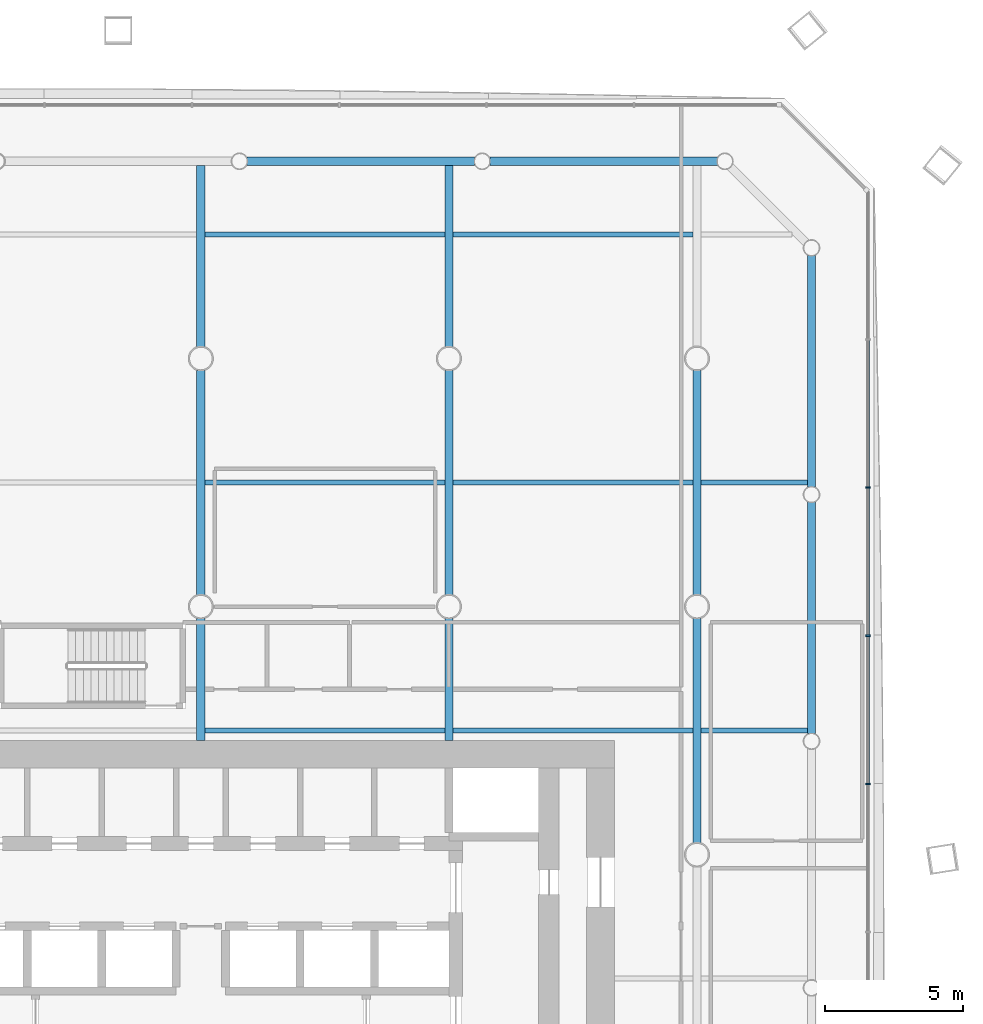
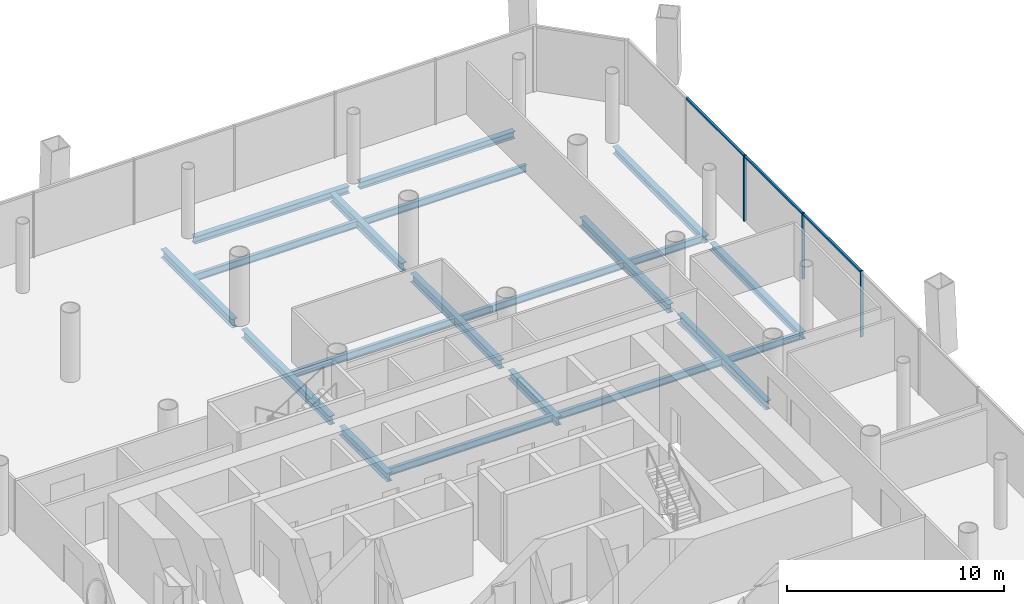
# One storey, part 11 of 22: 20 beams, 6 members, 1 element without a shape of its own.
"""IFC4 building model written with IfcOpenShell, lengths in metres."""

from ifc_helpers import new_model, si_unit, direction, frame, origin, origin_2d, place, context, subcontext, project, spatial, rectangle, i_section, extrude, material, material_profile, profile_set, type_object, element, aggregate, save


model = new_model("IFC4")

# Units and contexts
model_context = context("Model", 3, precision=1e-05, world=origin(), true_north=direction((0.0, 1.0)))
body_context = subcontext(model_context, "Body", "Model", "MODEL_VIEW")
ifc_project = project(units=[si_unit("LENGTHUNIT", "METRE"), si_unit("AREAUNIT", "SQUARE_METRE"), si_unit("VOLUMEUNIT", "CUBIC_METRE"), si_unit("PLANEANGLEUNIT", "RADIAN"), si_unit("MASSUNIT", "GRAM", prefix="KILO")], contexts=[model_context])

# Site, building, storey
site_placement = place(None, origin())
site = spatial("IfcSite", under=ifc_project, at=site_placement, CompositionType="ELEMENT")
building_placement = place(site_placement, origin())
building = spatial("IfcBuilding", under=site, at=building_placement, Name="Tskaro Facet Tower", CompositionType="ELEMENT")
storey_placement = place(building_placement, frame((0.0, 0.0, 30.300048828125)))
storey = spatial("IfcBuildingStorey", under=building, at=storey_placement, Name="L06", CompositionType="ELEMENT", Elevation=30.300048828125)

# Curtain wall, members
ifc_material_1 = material(Name="Bronze anodised aluminium 6063-T6", Category="aluminium")
curtain_wall_type = type_object("IfcCurtainWallType", Name="Bronze office curtain wall (FW1)", PredefinedType="NOTDEFINED", material=ifc_material_1)
curtain_wall_placement = place(storey_placement, origin())
curtain_wall = element("IfcCurtainWall", 1, at=curtain_wall_placement, inside=storey, type_object=curtain_wall_type, Name="FW1 east facet L06", PredefinedType="NOTDEFINED")
ifc_material_profile_1 = material_profile(ifc_material_1, rectangle(XDim=0.06005859375, YDim=0.159912109375, at=origin_2d()), Name="Mullion 60x160")
ifc_profile_set_1 = profile_set([ifc_material_profile_1], Name="Bronze anodised aluminium 6063-T6")
member_type_1 = type_object("IfcMemberType", Name="FW1 bronze mullion 60x160", PredefinedType="MULLION", material=ifc_profile_set_1)
member_1_placement = place(storey_placement, frame((24.201904296875, 2.56787109375, 0.0), z_axis=(0.0, 0.0, 1.0), x_axis=(0.0, 1.0, 0.0)))
member_1 = element("IfcMember", 2, at=member_1_placement, type_object=member_type_1, Name="FW1 east mullion 5", PredefinedType="MULLION", context=body_context, shape_type="SweptSolid", body=[
    extrude(rectangle(XDim=0.06005859375, YDim=0.159912109375, at=origin_2d()), origin(), (0.0, 0.0, 1.0), 3.699951171875),
])
member_2_placement = place(storey_placement, frame((24.201904296875, 7.9423828125, 0.0), z_axis=(0.0, 0.0, 1.0), x_axis=(0.0, 1.0, 0.0)))
member_2 = element("IfcMember", 3, at=member_2_placement, type_object=member_type_1, Name="FW1 east mullion 6", PredefinedType="MULLION", context=body_context, shape_type="SweptSolid", body=[
    extrude(rectangle(XDim=0.06005859375, YDim=0.159912109375, at=origin_2d()), origin(), (0.0, 0.0, 1.0), 3.699951171875),
])
member_3_placement = place(storey_placement, frame((24.201904296875, 13.31689453125, 0.0), z_axis=(0.0, 0.0, 1.0), x_axis=(0.0, 1.0, 0.0)))
member_3 = element("IfcMember", 4, at=member_3_placement, type_object=member_type_1, Name="FW1 east mullion 7", PredefinedType="MULLION", context=body_context, shape_type="SweptSolid", body=[
    extrude(rectangle(XDim=0.06005859375, YDim=0.159912109375, at=origin_2d()), origin(), (0.0, 0.0, 1.0), 3.699951171875),
])
ifc_material_profile_2 = material_profile(ifc_material_1, rectangle(XDim=0.1201171875, YDim=0.10009765625, at=origin_2d()), Name="Transom 120x100")
ifc_profile_set_2 = profile_set([ifc_material_profile_2], Name="Bronze anodised aluminium 6063-T6")
member_type_2 = type_object("IfcMemberType", Name="FW1 bronze transom 120x100", PredefinedType="USERDEFINED", material=ifc_profile_set_2)
member_4_placement = place(storey_placement, frame((24.201904296875, 2.59765625, 3.64990234375), z_axis=(0.0, 1.0, 0.0), x_axis=(-1.0, 0.0, 0.0)))
member_4 = element("IfcMember", 5, at=member_4_placement, type_object=member_type_2, Name="FW1 east transom 6.1", ObjectType="TRANSOM", PredefinedType="USERDEFINED", context=body_context, shape_type="SweptSolid", body=[
    extrude(rectangle(XDim=0.1201171875, YDim=0.10009765625, at=origin_2d()), origin(), (0.0, 0.0, 1.0), 5.314697265625),
])
member_5_placement = place(storey_placement, frame((24.201904296875, 7.972412109375, 3.64990234375), z_axis=(0.0, 1.0, 0.0), x_axis=(-1.0, 0.0, 0.0)))
member_5 = element("IfcMember", 6, at=member_5_placement, type_object=member_type_2, Name="FW1 east transom 7.1", ObjectType="TRANSOM", PredefinedType="USERDEFINED", context=body_context, shape_type="SweptSolid", body=[
    extrude(rectangle(XDim=0.1201171875, YDim=0.10009765625, at=origin_2d()), origin(), (0.0, 0.0, 1.0), 5.314453125),
])
member_6_placement = place(storey_placement, frame((24.201904296875, 13.346923828125, 3.64990234375), z_axis=(0.0, 1.0, 0.0), x_axis=(-1.0, 0.0, 0.0)))
member_6 = element("IfcMember", 7, at=member_6_placement, type_object=member_type_2, Name="FW1 east transom 8.1", ObjectType="TRANSOM", PredefinedType="USERDEFINED", context=body_context, shape_type="SweptSolid", body=[
    extrude(rectangle(XDim=0.1201171875, YDim=0.10009765625, at=origin_2d()), origin(), (0.0, 0.0, 1.0), 5.314453125),
])
aggregate(curtain_wall, [member_1, member_2, member_3, member_4, member_5, member_6])

# Beams
ifc_material_2 = material(Name="Steel S355J2", Category="steel")
ifc_material_profile_3 = material_profile(ifc_material_2, i_section(OverallWidth=0.300048828125, OverallDepth=0.39990234375, WebThickness=0.013427734375, FlangeThickness=0.02392578125, FilletRadius=0.027099609375, at=origin_2d()), Name="HE 400 B")
ifc_profile_set_3 = profile_set([ifc_material_profile_3], Name="Steel S355J2")
beam_type_1 = type_object("IfcBeamType", Name="HE 400 B ring beam", PredefinedType="BEAM", material=ifc_profile_set_3)
for number, where, z_axis, x_axis, name in (
    (8, (22.156982421875, 4.39111328125, -0.340087890625), (0.0, 1.0, 0.0), (-1.0, 0.0, 0.0), "HE 400 B EB11-1"),
    (9, (22.156982421875, 13.339111328125, -0.340087890625), (0.0, 1.0, 0.0), (-1.0, 0.0, 0.0), "HE 400 B EB12-1"),
):
    element("IfcBeam", number, at=place(storey_placement, frame(where, z_axis=z_axis, x_axis=x_axis)), inside=storey, type_object=beam_type_1, Name=name, PredefinedType="BEAM", context=body_context, shape_type="SweptSolid", body=[
        extrude(i_section(OverallWidth=0.300048828125, OverallDepth=0.39990234375, WebThickness=0.013427734375, FlangeThickness=0.02392578125, FilletRadius=0.027099609375, at=origin_2d()), origin(), (0.0, 0.0, 1.0), 8.39794921875),
    ])
beam_1_placement = place(storey_placement, frame((18.737060546875, 25.156982421875, -0.340087890625), z_axis=(-1.0, 0.0, 0.0), x_axis=(0.0, -1.0, 0.0)))
element("IfcBeam", 10, at=beam_1_placement, inside=storey, type_object=beam_type_1, Name="HE 400 B EB14-1", PredefinedType="BEAM", context=body_context, shape_type="SweptSolid", body=[
    extrude(i_section(OverallWidth=0.300048828125, OverallDepth=0.39990234375, WebThickness=0.013427734375, FlangeThickness=0.02392578125, FilletRadius=0.027099609375, at=origin_2d()), origin(), (0.0, 0.0, 1.0), 8.255126953125),
])
beam_2_placement = place(storey_placement, frame((9.931884765625, 25.156982421875, -0.340087890625), z_axis=(-1.0, 0.0, 0.0), x_axis=(0.0, -1.0, 0.0)))
element("IfcBeam", 11, at=beam_2_placement, inside=storey, type_object=beam_type_1, Name="HE 400 B EB15-1", PredefinedType="BEAM", context=body_context, shape_type="SweptSolid", body=[
    extrude(i_section(OverallWidth=0.300048828125, OverallDepth=0.39990234375, WebThickness=0.013427734375, FlangeThickness=0.02392578125, FilletRadius=0.027099609375, at=origin_2d()), origin(), (0.0, 0.0, 1.0), 8.2548828125),
])
ifc_material_profile_4 = material_profile(ifc_material_2, i_section(OverallWidth=0.300048828125, OverallDepth=0.489990234375, WebThickness=0.011962890625, FlangeThickness=0.02294921875, FilletRadius=0.027099609375, at=origin_2d()), Name="HE 500 A")
ifc_profile_set_4 = profile_set([ifc_material_profile_4], Name="Steel S355J2")
beam_type_2 = type_object("IfcBeamType", Name="HE 500 A girder", PredefinedType="BEAM", material=ifc_profile_set_4)
beam_3_placement = place(storey_placement, frame((0.0, 4.14990234375, -0.385009765625), z_axis=(0.0, 1.0, 0.0), x_axis=(-1.0, 0.0, 0.0)))
element("IfcBeam", 12, at=beam_3_placement, inside=storey, type_object=beam_type_2, Name="HE 500 A GB4-3-1", PredefinedType="BEAM", context=body_context, shape_type="SweptSolid", body=[
    extrude(i_section(OverallWidth=0.300048828125, OverallDepth=0.489990234375, WebThickness=0.011962890625, FlangeThickness=0.02294921875, FilletRadius=0.027099609375, at=origin_2d()), origin(), (0.0, 0.0, 1.0), 4.4228515625),
])
beam_4_placement = place(storey_placement, frame((0.0, 9.42724609375, -0.385009765625), z_axis=(0.0, 1.0, 0.0), x_axis=(-1.0, 0.0, 0.0)))
element("IfcBeam", 13, at=beam_4_placement, inside=storey, type_object=beam_type_2, Name="HE 500 A GB4-4-1", PredefinedType="BEAM", context=body_context, shape_type="SweptSolid", body=[
    extrude(i_section(OverallWidth=0.300048828125, OverallDepth=0.489990234375, WebThickness=0.011962890625, FlangeThickness=0.02294921875, FilletRadius=0.027099609375, at=origin_2d()), origin(), (0.0, 0.0, 1.0), 8.1455078125),
])
beam_5_placement = place(storey_placement, frame((0.0, 18.42724609375, -0.385009765625), z_axis=(0.0, 1.0, 0.0), x_axis=(-1.0, 0.0, 0.0)))
element("IfcBeam", 14, at=beam_5_placement, inside=storey, type_object=beam_type_2, Name="HE 500 A GB4-5-1", PredefinedType="BEAM", context=body_context, shape_type="SweptSolid", body=[
    extrude(i_section(OverallWidth=0.300048828125, OverallDepth=0.489990234375, WebThickness=0.011962890625, FlangeThickness=0.02294921875, FilletRadius=0.027099609375, at=origin_2d()), origin(), (0.0, 0.0, 1.0), 6.579833984375),
])
beam_6_placement = place(storey_placement, frame((9.0, 4.14990234375, -0.385009765625), z_axis=(0.0, 1.0, 0.0), x_axis=(-1.0, 0.0, 0.0)))
element("IfcBeam", 15, at=beam_6_placement, inside=storey, type_object=beam_type_2, Name="HE 500 A GB5-3-1", PredefinedType="BEAM", context=body_context, shape_type="SweptSolid", body=[
    extrude(i_section(OverallWidth=0.300048828125, OverallDepth=0.489990234375, WebThickness=0.011962890625, FlangeThickness=0.02294921875, FilletRadius=0.027099609375, at=origin_2d()), origin(), (0.0, 0.0, 1.0), 4.4228515625),
])
beam_7_placement = place(storey_placement, frame((9.0, 9.42724609375, -0.385009765625), z_axis=(0.0, 1.0, 0.0), x_axis=(-1.0, 0.0, 0.0)))
element("IfcBeam", 16, at=beam_7_placement, inside=storey, type_object=beam_type_2, Name="HE 500 A GB5-4-1", PredefinedType="BEAM", context=body_context, shape_type="SweptSolid", body=[
    extrude(i_section(OverallWidth=0.300048828125, OverallDepth=0.489990234375, WebThickness=0.011962890625, FlangeThickness=0.02294921875, FilletRadius=0.027099609375, at=origin_2d()), origin(), (0.0, 0.0, 1.0), 8.1455078125),
])
beam_8_placement = place(storey_placement, frame((9.0, 18.42724609375, -0.385009765625), z_axis=(0.0, 1.0, 0.0), x_axis=(-1.0, 0.0, 0.0)))
element("IfcBeam", 17, at=beam_8_placement, inside=storey, type_object=beam_type_2, Name="HE 500 A GB5-5-1", PredefinedType="BEAM", context=body_context, shape_type="SweptSolid", body=[
    extrude(i_section(OverallWidth=0.300048828125, OverallDepth=0.489990234375, WebThickness=0.011962890625, FlangeThickness=0.02294921875, FilletRadius=0.027099609375, at=origin_2d()), origin(), (0.0, 0.0, 1.0), 6.579833984375),
])
for number, where, z_axis, x_axis, name in (
    (18, (18.0, 0.42724609375, -0.385009765625), (0.0, 1.0, 0.0), (-1.0, 0.0, 0.0), "HE 500 A GB6-4-1"),
    (19, (18.0, 9.42724609375, -0.385009765625), (0.0, 1.0, 0.0), (-1.0, 0.0, 0.0), "HE 500 A GB6-5-1"),
):
    element("IfcBeam", number, at=place(storey_placement, frame(where, z_axis=z_axis, x_axis=x_axis)), inside=storey, type_object=beam_type_2, Name=name, PredefinedType="BEAM", context=body_context, shape_type="SweptSolid", body=[
        extrude(i_section(OverallWidth=0.300048828125, OverallDepth=0.489990234375, WebThickness=0.011962890625, FlangeThickness=0.02294921875, FilletRadius=0.027099609375, at=origin_2d()), origin(), (0.0, 0.0, 1.0), 8.1455078125),
    ])
ifc_material_profile_5 = material_profile(ifc_material_2, i_section(OverallWidth=0.179931640625, OverallDepth=0.39990234375, WebThickness=0.008544921875, FlangeThickness=0.013427734375, FilletRadius=0.02099609375, at=origin_2d()), Name="IPE 400")
ifc_profile_set_5 = profile_set([ifc_material_profile_5], Name="Steel S355J2")
beam_type_3 = type_object("IfcBeamType", Name="IPE 400 secondary beam", PredefinedType="BEAM", material=ifc_profile_set_5)
for number, where, z_axis, x_axis, name in (
    (20, (0.14990234375, 4.5, -0.340087890625), (1.0, 0.0, 0.0), (0.0, 1.0, 0.0), "IPE 400 SB4a-4-1"),
    (21, (9.14990234375, 4.5, -0.340087890625), (1.0, 0.0, 0.0), (0.0, 1.0, 0.0), "IPE 400 SB4a-5-1"),
):
    element("IfcBeam", number, at=place(storey_placement, frame(where, z_axis=z_axis, x_axis=x_axis)), inside=storey, type_object=beam_type_3, Name=name, PredefinedType="BEAM", context=body_context, shape_type="SweptSolid", body=[
        extrude(i_section(OverallWidth=0.179931640625, OverallDepth=0.39990234375, WebThickness=0.008544921875, FlangeThickness=0.013427734375, FilletRadius=0.02099609375, at=origin_2d()), origin(), (0.0, 0.0, 1.0), 8.7001953125),
    ])
beam_9_placement = place(storey_placement, frame((18.14990234375, 4.5, -0.340087890625), z_axis=(1.0, 0.0, 0.0), x_axis=(0.0, 1.0, 0.0)))
element("IfcBeam", 22, at=beam_9_placement, inside=storey, type_object=beam_type_3, Name="IPE 400 SB4a-6-1", PredefinedType="BEAM", context=body_context, shape_type="SweptSolid", body=[
    extrude(i_section(OverallWidth=0.179931640625, OverallDepth=0.39990234375, WebThickness=0.008544921875, FlangeThickness=0.013427734375, FilletRadius=0.02099609375, at=origin_2d()), origin(), (0.0, 0.0, 1.0), 3.857177734375),
])
for number, where, z_axis, x_axis, name in (
    (23, (0.14990234375, 13.5, -0.340087890625), (1.0, 0.0, 0.0), (0.0, 1.0, 0.0), "IPE 400 SB5a-4-1"),
    (24, (9.14990234375, 13.5, -0.340087890625), (1.0, 0.0, 0.0), (0.0, 1.0, 0.0), "IPE 400 SB5a-5-1"),
):
    element("IfcBeam", number, at=place(storey_placement, frame(where, z_axis=z_axis, x_axis=x_axis)), inside=storey, type_object=beam_type_3, Name=name, PredefinedType="BEAM", context=body_context, shape_type="SweptSolid", body=[
        extrude(i_section(OverallWidth=0.179931640625, OverallDepth=0.39990234375, WebThickness=0.008544921875, FlangeThickness=0.013427734375, FilletRadius=0.02099609375, at=origin_2d()), origin(), (0.0, 0.0, 1.0), 8.7001953125),
    ])
beam_10_placement = place(storey_placement, frame((18.14990234375, 13.5, -0.340087890625), z_axis=(1.0, 0.0, 0.0), x_axis=(0.0, 1.0, 0.0)))
element("IfcBeam", 25, at=beam_10_placement, inside=storey, type_object=beam_type_3, Name="IPE 400 SB5a-6-1", PredefinedType="BEAM", context=body_context, shape_type="SweptSolid", body=[
    extrude(i_section(OverallWidth=0.179931640625, OverallDepth=0.39990234375, WebThickness=0.008544921875, FlangeThickness=0.013427734375, FilletRadius=0.02099609375, at=origin_2d()), origin(), (0.0, 0.0, 1.0), 3.857177734375),
])
for number, where, z_axis, x_axis, name in (
    (26, (0.14990234375, 22.5, -0.340087890625), (1.0, 0.0, 0.0), (0.0, 1.0, 0.0), "IPE 400 SB6a-4-1"),
    (27, (9.14990234375, 22.5, -0.340087890625), (1.0, 0.0, 0.0), (0.0, 1.0, 0.0), "IPE 400 SB6a-5-1"),
):
    element("IfcBeam", number, at=place(storey_placement, frame(where, z_axis=z_axis, x_axis=x_axis)), inside=storey, type_object=beam_type_3, Name=name, PredefinedType="BEAM", context=body_context, shape_type="SweptSolid", body=[
        extrude(i_section(OverallWidth=0.179931640625, OverallDepth=0.39990234375, WebThickness=0.008544921875, FlangeThickness=0.013427734375, FilletRadius=0.02099609375, at=origin_2d()), origin(), (0.0, 0.0, 1.0), 8.7001953125),
    ])

save(model, "model.ifc")
